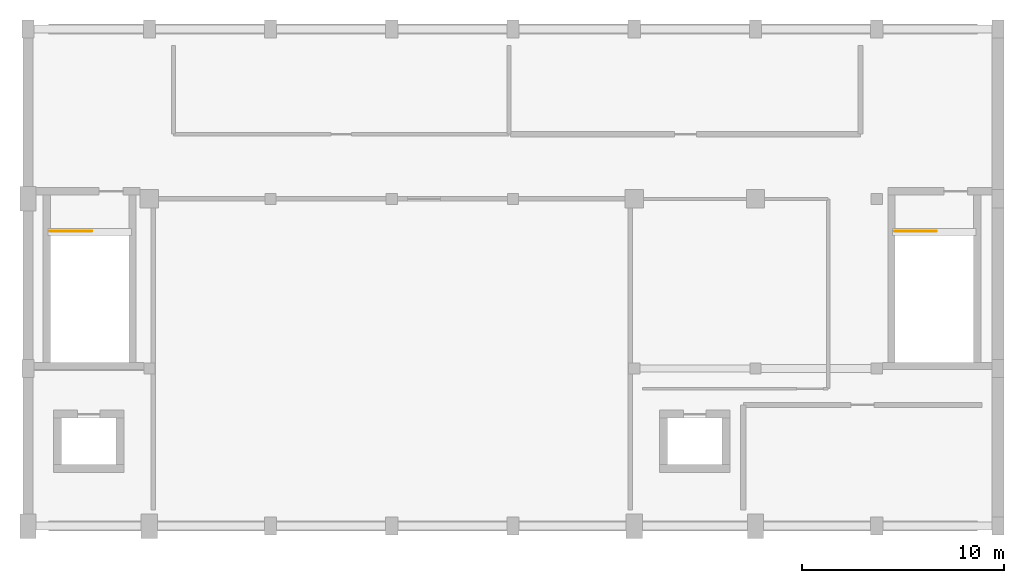
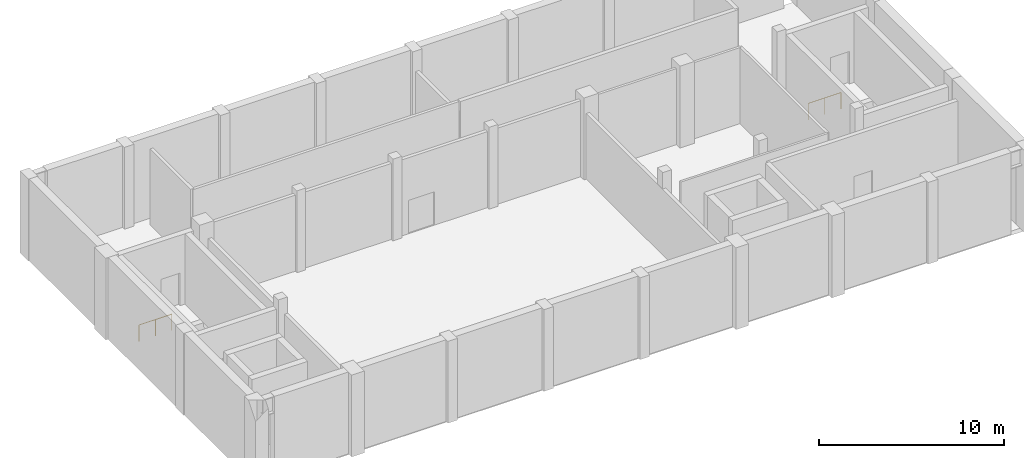
# One storey, part 3 of 3: 2 railings.
"""IFC4 building model written with IfcOpenShell, lengths in metres."""

from ifc_helpers import new_model, si_unit, direction, frame, origin, origin_2d, place, context, subcontext, project, spatial, circle, extrude, material, type_object, element, save


model = new_model("IFC4")

# Units and contexts
model_context = context("Model", 3, precision=1e-05, world=origin(), true_north=direction((0.0, 1.0)))
body_context = subcontext(model_context, "Body", "Model", "MODEL_VIEW")
ifc_project = project(units=[si_unit("LENGTHUNIT", "METRE"), si_unit("AREAUNIT", "SQUARE_METRE"), si_unit("VOLUMEUNIT", "CUBIC_METRE"), si_unit("PLANEANGLEUNIT", "RADIAN"), si_unit("MASSUNIT", "GRAM", prefix="KILO")], contexts=[model_context])

# Site, building, storey
site_placement = place(None, origin())
site = spatial("IfcSite", under=ifc_project, at=site_placement, CompositionType="ELEMENT")
building_placement = place(site_placement, origin())
building = spatial("IfcBuilding", under=site, at=building_placement, Name="Vaelkrest Opera House", CompositionType="ELEMENT")
storey_placement = place(building_placement, frame((0.0, 0.0, 36.0)))
storey = spatial("IfcBuildingStorey", under=building, at=storey_placement, Name="L07", CompositionType="ELEMENT", Elevation=36.0)

# Railings
ifc_material = material(Name="Dark bronze anodized aluminium", Category="aluminium")
railing_type = type_object("IfcRailingType", Name="GR02", PredefinedType="GUARDRAIL", material=ifc_material)
railing_1_placement = place(storey_placement, frame((-16.89990234375, 32.0, 0.0)))
element("IfcRailing", 1, at=railing_1_placement, inside=storey, type_object=railing_type, Name="L07 ST05 top well guard 1", PredefinedType="GUARDRAIL", context=body_context, shape_type="SweptSolid", body=[
    extrude(circle(Radius=0.02392578125, at=origin_2d()), frame((0.0, 0.0, 1.076171875), z_axis=(1.0, 0.0, 0.0), x_axis=(0.0, 1.0, 0.0)), (0.0, 0.0, 1.0), 2.0498046875),
    extrude(circle(Radius=0.02099609375, at=origin_2d()), origin(), (0.0, 0.0, 1.0), 1.052001953125),
    extrude(circle(Radius=0.02099609375, at=origin_2d()), frame((1.02490234375, 0.0, 0.0)), (0.0, 0.0, 1.0), 1.052001953125),
    extrude(circle(Radius=0.02099609375, at=origin_2d()), frame((2.0498046875, 0.0, 0.0)), (0.0, 0.0, 1.0), 1.052001953125),
])
railing_2_placement = place(storey_placement, frame((24.89990234375, 32.0, 0.0)))
element("IfcRailing", 2, at=railing_2_placement, inside=storey, type_object=railing_type, Name="L07 ST06 top well guard 1", PredefinedType="GUARDRAIL", context=body_context, shape_type="SweptSolid", body=[
    extrude(circle(Radius=0.02392578125, at=origin_2d()), frame((0.0, 0.0, 1.076171875), z_axis=(1.0, 0.0, 0.0), x_axis=(0.0, 1.0, 0.0)), (0.0, 0.0, 1.0), 2.050048828125),
    extrude(circle(Radius=0.02099609375, at=origin_2d()), origin(), (0.0, 0.0, 1.0), 1.052001953125),
    extrude(circle(Radius=0.02099609375, at=origin_2d()), frame((1.02490234375, 0.0, 0.0)), (0.0, 0.0, 1.0), 1.052001953125),
    extrude(circle(Radius=0.02099609375, at=origin_2d()), frame((2.050048828125, 0.0, 0.0)), (0.0, 0.0, 1.0), 1.052001953125),
])

save(model, "model.ifc")
